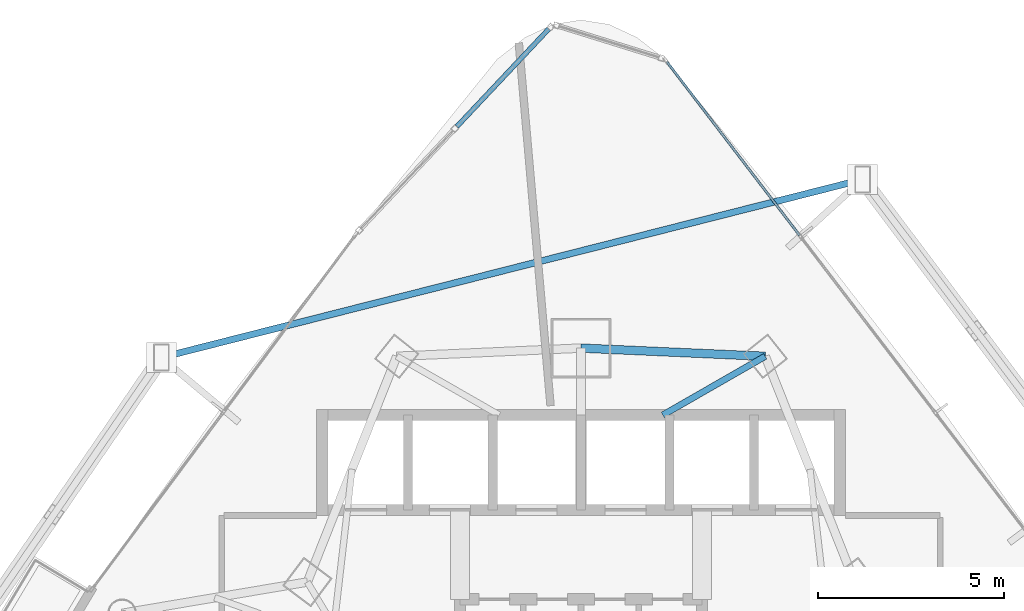
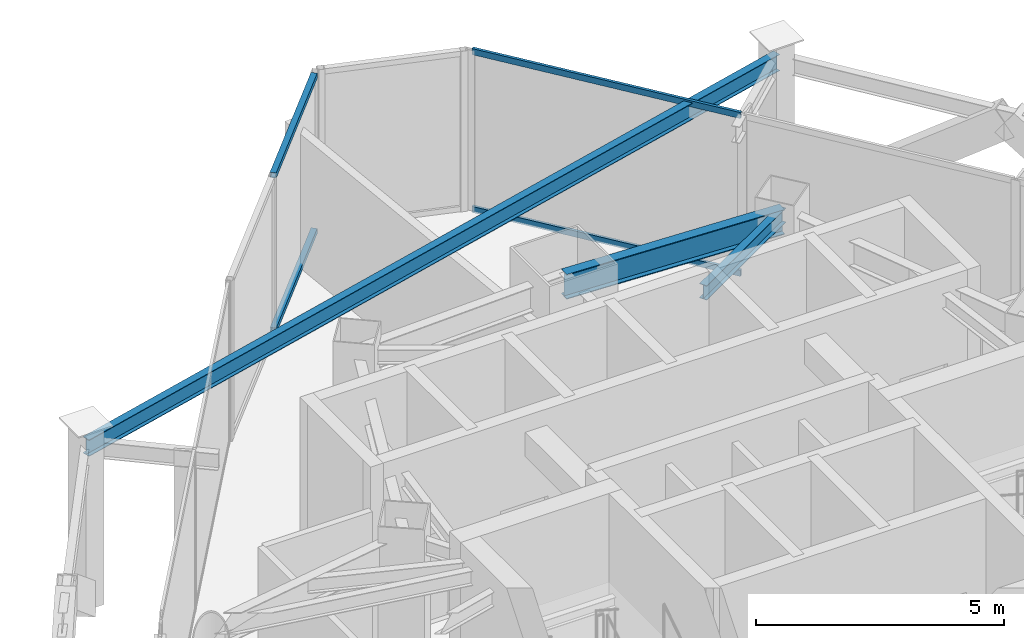
# One storey, part 22 of 33: 4 members, 3 beams, 2 elements without a shape of their own.
"""IFC4 building model written with IfcOpenShell, lengths in metres."""

import ifcopenshell
import ifcopenshell.guid

model = None  # the IFC model being written
_history = None  # IfcOwnerHistory: only IFC2X3 demands one
_inside = {}  # id of a spatial element -> (the spatial element, [elements in it])
_under = {}  # id of a project, library or spatial element -> (it, [spatial elements below it])
_declared = {}  # id of a project -> (the project, [libraries it declares])
_typed = {}  # id of a type object -> (the type object, [elements of that type])
_made_of = {}  # id of a material, layer set ... -> (it, [elements and type objects made of it])


def new_model(schema):
    """Start an empty IFC model of exactly this schema.

    Asked for "IFC4X3", IfcOpenShell would pick the latest addendum, in which some entities
    have other attributes; the version numbers below select the first issue.
    IFC2X3 requires an IfcOwnerHistory on every rooted entity: one is made here for all.
    """
    global model, _history
    if schema == "IFC4X3":
        model = ifcopenshell.file(schema_version=(4, 3, 0, 0))
    else:
        model = ifcopenshell.file(schema=schema)
    _inside.clear()
    _under.clear()
    _declared.clear()
    _typed.clear()
    _made_of.clear()
    _history = None
    if model.schema == "IFC2X3":
        org = make("IfcOrganization", Name="unknown")
        user = make(
            "IfcPersonAndOrganization",
            ThePerson=make("IfcPerson", FamilyName="unknown"),
            TheOrganization=org,
        )
        app = make(
            "IfcApplication",
            ApplicationDeveloper=org,
            Version="unknown",
            ApplicationFullName="unknown",
            ApplicationIdentifier="unknown",
        )
        _history = make(
            "IfcOwnerHistory",
            OwningUser=user,
            OwningApplication=app,
            ChangeAction="ADDED",
            CreationDate=0,
        )
    return model


def make(cls, **values):
    """One entity of the class cls with the attributes given. An attribute that is None is left unset."""
    return model.create_entity(
        cls, **{name: value for name, value in values.items() if value is not None}
    )


def rooted(cls, **values):
    """An entity with a GlobalId (a new one), such as an element, a storey or a relation."""
    return make(cls, GlobalId=ifcopenshell.guid.new(), OwnerHistory=_history, **values)


def si_unit(unit_type, name, prefix=None):
    """IfcSIUnit, for example si_unit("LENGTHUNIT", "METRE", prefix="MILLI")."""
    return make("IfcSIUnit", UnitType=unit_type, Prefix=prefix, Name=name)


def assignment(units):
    """IfcUnitAssignment: the units of a project."""
    return None if units is None else make("IfcUnitAssignment", Units=units)


def point(xyz):
    """IfcCartesianPoint."""
    return None if xyz is None else make("IfcCartesianPoint", Coordinates=xyz)


def direction(xyz):
    """IfcDirection."""
    return None if xyz is None else make("IfcDirection", DirectionRatios=xyz)


def frame(location, z_axis=None, x_axis=None):
    """IfcAxis2Placement3D, a coordinate frame: its origin and axes. An axis left out is left unset."""
    return make(
        "IfcAxis2Placement3D",
        Location=point(location),
        Axis=direction(z_axis),
        RefDirection=direction(x_axis),
    )


def frame_2d(location, x_axis=None):
    """IfcAxis2Placement2D, a coordinate frame in the plane: its origin and x axis."""
    return make(
        "IfcAxis2Placement2D", Location=point(location), RefDirection=direction(x_axis)
    )


def origin():
    """The frame at (0, 0, 0) with its axes left unset."""
    return frame((0.0, 0.0, 0.0))


def origin_2d():
    """The frame at (0, 0) in the plane with its x axis left unset."""
    return frame_2d((0.0, 0.0))


def place(relative_to, where):
    """IfcLocalPlacement: puts the frame where relative to a parent placement (None: the world)."""
    return make(
        "IfcLocalPlacement", PlacementRelTo=relative_to, RelativePlacement=where
    )


def context(
    kind, dimensions, precision=None, world=None, true_north=None, identifier=None
):
    """IfcGeometricRepresentationContext, for example the 3D "Model" context."""
    return make(
        "IfcGeometricRepresentationContext",
        ContextIdentifier=identifier,
        ContextType=kind,
        CoordinateSpaceDimension=dimensions,
        Precision=precision,
        WorldCoordinateSystem=world,
        TrueNorth=true_north,
    )


def subcontext(parent, identifier, kind, view, scale=None):
    """IfcGeometricRepresentationSubContext, for example "Body" below "Model"."""
    return make(
        "IfcGeometricRepresentationSubContext",
        ContextIdentifier=identifier,
        ContextType=kind,
        ParentContext=parent,
        TargetScale=scale,
        TargetView=view,
    )


def project(units=None, contexts=None):
    """IfcProject with its units and contexts."""
    return rooted(
        "IfcProject",
        Name="project",
        RepresentationContexts=contexts,
        UnitsInContext=assignment(units),
    )


def spatial(cls, under=None, at=None, **own):
    """A site, building, storey or space (cls), placed at a placement, below another one or the project."""
    s = rooted(cls, ObjectPlacement=at, **own)
    if under is not None:
        _under.setdefault(under.id(), (under, []))[1].append(s)
    return s


def profile(cls, at=None, kind="AREA", **sizes):
    """A parametric profile (cls). Its sizes go by their IFC names, for example OverallWidth=200.0."""
    return make(cls, ProfileType=kind, Position=at, **sizes)


def hollow_rectangle(**sizes):
    """IfcRectangleHollowProfileDef."""
    return profile("IfcRectangleHollowProfileDef", **sizes)


def i_section(**sizes):
    """IfcIShapeProfileDef."""
    return profile("IfcIShapeProfileDef", **sizes)


def extrude(swept, where, along, depth):
    """IfcExtrudedAreaSolid: the profile swept, set in the frame where, extruded along a direction by depth."""
    return make(
        "IfcExtrudedAreaSolid",
        SweptArea=swept,
        Position=where,
        ExtrudedDirection=direction(along),
        Depth=depth,
    )


def shape(context_of_items, identifier, shape_type, items):
    """IfcShapeRepresentation: the items that make up one representation, for example the "Body"."""
    return make(
        "IfcShapeRepresentation",
        ContextOfItems=context_of_items,
        RepresentationIdentifier=identifier,
        RepresentationType=shape_type,
        Items=items,
    )


def material(Name=None, Category=None):
    """IfcMaterial."""
    return make("IfcMaterial", Name=Name, Category=Category)


def layer(
    of_material, thickness, ventilated=None, Name=None, Category=None, Priority=None
):
    """IfcMaterialLayer: one layer of a wall or slab, of a material (None: an air gap)."""
    return make(
        "IfcMaterialLayer",
        Material=of_material,
        LayerThickness=thickness,
        IsVentilated=ventilated,
        Name=Name,
        Category=Category,
        Priority=Priority,
    )


def layer_set(layers, Name=None):
    """IfcMaterialLayerSet."""
    return make("IfcMaterialLayerSet", MaterialLayers=layers, LayerSetName=Name)


def material_profile(
    of_material, cross_section, Name=None, Category=None, Priority=None
):
    """IfcMaterialProfile: a cross section and its material."""
    return make(
        "IfcMaterialProfile",
        Name=Name,
        Material=of_material,
        Profile=cross_section,
        Priority=Priority,
        Category=Category,
    )


def profile_set(profiles, Name=None, composite=None):
    """IfcMaterialProfileSet."""
    return make(
        "IfcMaterialProfileSet",
        Name=Name,
        MaterialProfiles=profiles,
        CompositeProfile=composite,
    )


def made_of(thing, what):
    """Note that an element or type object is made of a material, layer set ...; save() writes the relation."""
    if what is not None:
        _made_of.setdefault(what.id(), (what, []))[1].append(thing)
    return thing


def type_object(cls, material=None, **own):
    """A type object (cls), such as IfcWallType, which elements share."""
    return made_of(rooted(cls, **own), material)


def element(
    cls,
    number,
    at=None,
    inside=None,
    cuts=None,
    type_object=None,
    material=None,
    context=None,
    identifier="Body",
    shape_type=None,
    held_by="IfcProductDefinitionShape",
    body=None,
    shapes=None,
    **own,
):
    """One element of the class cls, such as IfcWall. Its Tag is "e" and its number.

    at: its placement. inside: the storey or other place that contains it. cuts: it is an
    opening in that element (IfcRelVoidsElement). A single representation is given by context,
    identifier, shape_type and body (its items); several are given by shapes. held_by: the class
    of the entity that holds the representations. save() writes the other relations.
    """
    e = rooted(cls, Tag="e%d" % number, ObjectPlacement=at, **own)
    if body is not None:
        shapes = [shape(context, identifier, shape_type, body)]
    if shapes is not None:
        e.Representation = make(held_by, Representations=shapes)
    if inside is not None:
        _inside.setdefault(inside.id(), (inside, []))[1].append(e)
    if cuts is not None:
        rooted(
            "IfcRelVoidsElement", RelatingBuildingElement=cuts, RelatedOpeningElement=e
        )
    if type_object is not None:
        _typed.setdefault(type_object.id(), (type_object, []))[1].append(e)
    return made_of(e, material)


def aggregate(whole, parts):
    """IfcRelAggregates: a whole, such as a stair, and the parts it consists of."""
    return rooted("IfcRelAggregates", RelatingObject=whole, RelatedObjects=parts)


def save(model, path):
    """Write the relations noted so far, then the file.

    IfcRelAggregates (storeys below a building ...), IfcRelContainedInSpatialStructure (elements
    in a storey), IfcRelDefinesByType, IfcRelAssociatesMaterial and IfcRelDeclares: one each for
    every whole, place, type object, material and project.
    """
    for whole, parts in _under.values():
        aggregate(whole, parts)
    for where, things in _inside.values():
        rooted(
            "IfcRelContainedInSpatialStructure",
            RelatedElements=things,
            RelatingStructure=where,
        )
    for kind, things in _typed.values():
        rooted("IfcRelDefinesByType", RelatedObjects=things, RelatingType=kind)
    for what, things in _made_of.values():
        rooted("IfcRelAssociatesMaterial", RelatedObjects=things, RelatingMaterial=what)
    for by, libraries in _declared.values():
        rooted("IfcRelDeclares", RelatingContext=by, RelatedDefinitions=libraries)
    model.write(path)


model = new_model("IFC4")

# Units and contexts
model_context = context("Model", 3, precision=1e-05, world=origin(), true_north=direction((0.0, 1.0)))
body_context = subcontext(model_context, "Body", "Model", "MODEL_VIEW")
ifc_project = project(units=[si_unit("LENGTHUNIT", "METRE"), si_unit("AREAUNIT", "SQUARE_METRE"), si_unit("VOLUMEUNIT", "CUBIC_METRE"), si_unit("PLANEANGLEUNIT", "RADIAN"), si_unit("MASSUNIT", "GRAM", prefix="KILO")], contexts=[model_context])

# Site, building, storey
site_placement = place(None, origin())
site = spatial("IfcSite", under=ifc_project, at=site_placement, CompositionType="ELEMENT")
building_placement = place(site_placement, origin())
building = spatial("IfcBuilding", under=site, at=building_placement, Name="Orvanel Arch Residences", CompositionType="ELEMENT")
storey_placement = place(building_placement, frame((0.0, 0.0, 97.25)))
storey = spatial("IfcBuildingStorey", under=building, at=storey_placement, Name="L27", CompositionType="ELEMENT", Elevation=97.25)

# Beams
ifc_material_1 = material(Name="Structural steel AS/NZS 3679.1 Grade 300 (300 MPa)", Category="steel")
ifc_material_profile_1 = material_profile(ifc_material_1, i_section(OverallWidth=0.1708984375, OverallDepth=0.35595703125, WebThickness=0.00732421875, FlangeThickness=0.011474609375, at=origin_2d()), Name="360UB50.7")
ifc_profile_set_1 = profile_set([ifc_material_profile_1], Name="Structural steel AS/NZS 3679.1 Grade 300 (300 MPa)")
beam_type_1 = type_object("IfcBeamType", Name="BJ-360UB", PredefinedType="JOIST", material=ifc_profile_set_1)
beam_1_placement = place(storey_placement, frame((35.199951171875, 39.60009765625, 3.77197265625), z_axis=(0.86736513383, 0.497672306458, 0.0), x_axis=(-0.497672306458, 0.86736513383, 0.0)))
element("IfcBeam", 1, at=beam_1_placement, inside=storey, type_object=beam_type_1, Name="L27 MNE Wing Floor Joist", PredefinedType="JOIST", context=body_context, shape_type="SweptSolid", body=[
    extrude(i_section(OverallWidth=0.1708984375, OverallDepth=0.35595703125, WebThickness=0.00732421875, FlangeThickness=0.011474609375, at=origin_2d()), origin(), (0.0, 0.0, 1.0), 3.17041015625),
])
ifc_material_profile_2 = material_profile(ifc_material_1, i_section(OverallWidth=0.177978515625, OverallDepth=0.406005859375, WebThickness=0.0078125, FlangeThickness=0.0126953125, at=origin_2d()), Name="410UB59.7")
ifc_profile_set_2 = profile_set([ifc_material_profile_2], Name="Structural steel AS/NZS 3679.1 Grade 300 (300 MPa)")
beam_type_2 = type_object("IfcBeamType", Name="OB-410UB-EXT", PredefinedType="SPANDREL", material=ifc_profile_set_2)
beam_2_placement = place(storey_placement, frame((40.56591796875, 45.927978515625, 3.7470703125), z_axis=(-0.969252407829, -0.24606862847, 0.0), x_axis=(0.24606862847, -0.969252407829, 0.0)))
element("IfcBeam", 2, at=beam_2_placement, inside=storey, type_object=beam_type_2, Name="L27 Outer Perimeter Floor Ring Beam 12", PredefinedType="SPANDREL", context=body_context, shape_type="SweptSolid", body=[
    extrude(i_section(OverallWidth=0.177978515625, OverallDepth=0.406005859375, WebThickness=0.0078125, FlangeThickness=0.0126953125, at=origin_2d()), origin(), (0.0, 0.0, 1.0), 19.4375),
])
ifc_material_profile_3 = material_profile(ifc_material_1, i_section(OverallWidth=0.22900390625, OverallDepth=0.612060546875, WebThickness=0.011962890625, FlangeThickness=0.01953125, at=origin_2d()), Name="610UB125")
ifc_profile_set_3 = profile_set([ifc_material_profile_3], Name="Structural steel AS/NZS 3679.1 Grade 300 (300 MPa)")
beam_type_3 = type_object("IfcBeamType", Name="SP-610UB", PredefinedType="SPANDREL", material=ifc_profile_set_3)
beam_3_placement = place(storey_placement, frame((37.949951171875, 41.177978515625, 3.64404296875), z_axis=(-0.999014049296, 0.044395149614, 0.0), x_axis=(-0.044395149614, -0.999014049296, 0.0)))
element("IfcBeam", 3, at=beam_3_placement, inside=storey, type_object=beam_type_3, Name="L27 Perimeter Spandrel Beam 16", PredefinedType="SPANDREL", context=body_context, shape_type="SweptSolid", body=[
    extrude(i_section(OverallWidth=0.22900390625, OverallDepth=0.612060546875, WebThickness=0.011962890625, FlangeThickness=0.01953125, at=origin_2d()), origin(), (0.0, 0.0, 1.0), 4.954833984375),
])

# Curtain wall, members
ifc_material_2 = material(Name="Bronze-anodised aluminium AA6063-T6", Category="aluminium")
ifc_layer_1 = layer(ifc_material_2, 0.18994140625)
ifc_layer_set_1 = layer_set([ifc_layer_1], Name="Bronze-anodised aluminium AA6063-T6")
curtain_wall_type_1 = type_object("IfcCurtainWallType", Name="CW5-CRN-SYS", PredefinedType="NOTDEFINED", material=ifc_layer_set_1)
curtain_wall_1_placement = place(storey_placement, origin())
curtain_wall_1 = element("IfcCurtainWall", 4, at=curtain_wall_1_placement, inside=storey, type_object=curtain_wall_type_1, Name="L27 CW5-CRN-SYS Unitised Curtain Wall", PredefinedType="NOTDEFINED")
ifc_material_profile_4 = material_profile(ifc_material_2, hollow_rectangle(XDim=0.1298828125, YDim=0.1298828125, WallThickness=0.00439453125, at=origin_2d()), Name="ALU130x130x4.5")
ifc_profile_set_4 = profile_set([ifc_material_profile_4], Name="Bronze-anodised aluminium AA6063-T6")
member_type_1 = type_object("IfcMemberType", Name="TRN-130x130", PredefinedType="USERDEFINED", material=ifc_profile_set_4)
member_1_placement = place(storey_placement, frame((32.133056640625, 49.9716796875, 0.06494140625), z_axis=(-0.685516816728, -0.728056793102, 0.0), x_axis=(0.728056793102, -0.685516816728, 0.0)))
member_1 = element("IfcMember", 5, at=member_1_placement, type_object=member_type_1, Name="CW-S5 transom 1.1", ObjectType="TRANSOM", PredefinedType="USERDEFINED", context=body_context, shape_type="SweptSolid", body=[
    extrude(hollow_rectangle(XDim=0.1298828125, YDim=0.1298828125, WallThickness=0.00439453125, at=origin_2d()), origin(), (0.0, 0.0, 1.0), 3.604248046875),
])
member_2_placement = place(storey_placement, frame((32.133056640625, 49.9716796875, 3.885009765625), z_axis=(-0.685516816728, -0.728056793102, 0.0), x_axis=(0.728056793102, -0.685516816728, 0.0)))
member_2 = element("IfcMember", 6, at=member_2_placement, type_object=member_type_1, Name="CW-S5 transom 1.2", ObjectType="TRANSOM", PredefinedType="USERDEFINED", context=body_context, shape_type="SweptSolid", body=[
    extrude(hollow_rectangle(XDim=0.1298828125, YDim=0.1298828125, WallThickness=0.00439453125, at=origin_2d()), origin(), (0.0, 0.0, 1.0), 3.604248046875),
])
aggregate(curtain_wall_1, [member_1, member_2])

ifc_layer_2 = layer(ifc_material_2, 0.195068359375)
ifc_layer_set_2 = layer_set([ifc_layer_2], Name="Bronze-anodised aluminium AA6063-T6")
curtain_wall_type_2 = type_object("IfcCurtainWallType", Name="CW6-COM-SYS", PredefinedType="NOTDEFINED", material=ifc_layer_set_2)
curtain_wall_2_placement = place(storey_placement, origin())
curtain_wall_2 = element("IfcCurtainWall", 7, at=curtain_wall_2_placement, inside=storey, type_object=curtain_wall_type_2, Name="L27 CW6-COM-SYS Unitised Curtain Wall", PredefinedType="NOTDEFINED")
ifc_material_profile_5 = material_profile(ifc_material_2, hollow_rectangle(XDim=0.06494140625, YDim=0.14990234375, WallThickness=0.00390625, at=origin_2d()), Name="ALU150x65x4")
ifc_profile_set_5 = profile_set([ifc_material_profile_5], Name="Bronze-anodised aluminium AA6063-T6")
member_type_2 = type_object("IfcMemberType", Name="TRN-150x65", PredefinedType="USERDEFINED", material=ifc_profile_set_5)
member_3_placement = place(storey_placement, frame((38.86962890625, 44.430419921875, 0.032470703125), z_axis=(-0.607510398636, 0.794311724419, 0.0), x_axis=(-0.794311724419, -0.607510398636, 0.0)))
member_3 = element("IfcMember", 8, at=member_3_placement, type_object=member_type_2, Name="CW-S6 transom 3.1", ObjectType="TRANSOM", PredefinedType="USERDEFINED", context=body_context, shape_type="SweptSolid", body=[
    extrude(hollow_rectangle(XDim=0.06494140625, YDim=0.14990234375, WallThickness=0.00390625, at=origin_2d()), origin(), (0.0, 0.0, 1.0), 5.861572265625),
])
member_4_placement = place(storey_placement, frame((38.86962890625, 44.430419921875, 3.91748046875), z_axis=(-0.607510398636, 0.794311724419, 0.0), x_axis=(-0.794311724419, -0.607510398636, 0.0)))
member_4 = element("IfcMember", 9, at=member_4_placement, type_object=member_type_2, Name="CW-S6 transom 3.2", ObjectType="TRANSOM", PredefinedType="USERDEFINED", context=body_context, shape_type="SweptSolid", body=[
    extrude(hollow_rectangle(XDim=0.06494140625, YDim=0.14990234375, WallThickness=0.00390625, at=origin_2d()), origin(), (0.0, 0.0, 1.0), 5.861572265625),
])
aggregate(curtain_wall_2, [member_3, member_4])

save(model, "model.ifc")
